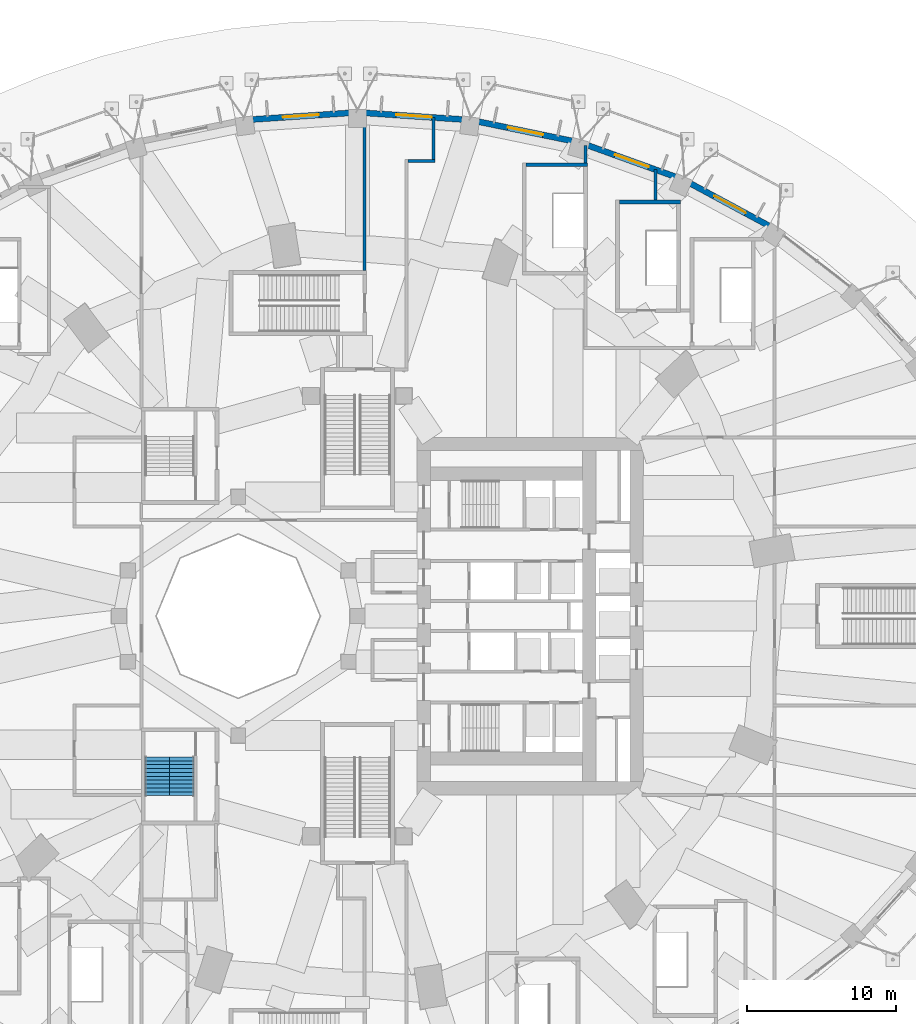
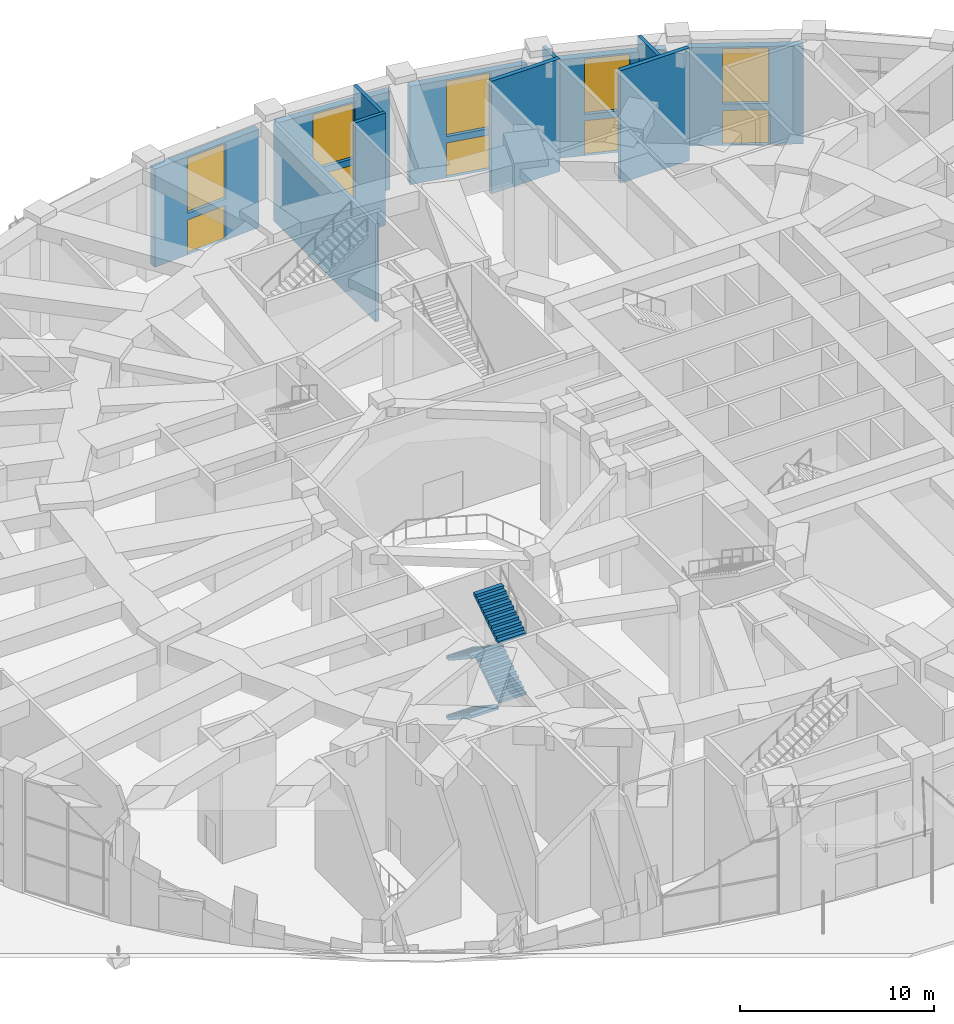
# One storey, part 40 of 60: 12 walls, 5 doors, 5 windows, 4 stair flights, 10 openings, 1 element without a shape of its own.
"""IFC4 building model written with IfcOpenShell, lengths in metres."""

import ifcopenshell
import ifcopenshell.guid

model = None  # the IFC model being written
_history = None  # IfcOwnerHistory: only IFC2X3 demands one
_inside = {}  # id of a spatial element -> (the spatial element, [elements in it])
_under = {}  # id of a project, library or spatial element -> (it, [spatial elements below it])
_declared = {}  # id of a project -> (the project, [libraries it declares])
_typed = {}  # id of a type object -> (the type object, [elements of that type])
_made_of = {}  # id of a material, layer set ... -> (it, [elements and type objects made of it])


def new_model(schema):
    """Start an empty IFC model of exactly this schema.

    Asked for "IFC4X3", IfcOpenShell would pick the latest addendum, in which some entities
    have other attributes; the version numbers below select the first issue.
    IFC2X3 requires an IfcOwnerHistory on every rooted entity: one is made here for all.
    """
    global model, _history
    if schema == "IFC4X3":
        model = ifcopenshell.file(schema_version=(4, 3, 0, 0))
    else:
        model = ifcopenshell.file(schema=schema)
    _inside.clear()
    _under.clear()
    _declared.clear()
    _typed.clear()
    _made_of.clear()
    _history = None
    if model.schema == "IFC2X3":
        org = make("IfcOrganization", Name="unknown")
        user = make(
            "IfcPersonAndOrganization",
            ThePerson=make("IfcPerson", FamilyName="unknown"),
            TheOrganization=org,
        )
        app = make(
            "IfcApplication",
            ApplicationDeveloper=org,
            Version="unknown",
            ApplicationFullName="unknown",
            ApplicationIdentifier="unknown",
        )
        _history = make(
            "IfcOwnerHistory",
            OwningUser=user,
            OwningApplication=app,
            ChangeAction="ADDED",
            CreationDate=0,
        )
    return model


def make(cls, **values):
    """One entity of the class cls with the attributes given. An attribute that is None is left unset."""
    return model.create_entity(
        cls, **{name: value for name, value in values.items() if value is not None}
    )


def rooted(cls, **values):
    """An entity with a GlobalId (a new one), such as an element, a storey or a relation."""
    return make(cls, GlobalId=ifcopenshell.guid.new(), OwnerHistory=_history, **values)


def si_unit(unit_type, name, prefix=None):
    """IfcSIUnit, for example si_unit("LENGTHUNIT", "METRE", prefix="MILLI")."""
    return make("IfcSIUnit", UnitType=unit_type, Prefix=prefix, Name=name)


def assignment(units):
    """IfcUnitAssignment: the units of a project."""
    return None if units is None else make("IfcUnitAssignment", Units=units)


def point(xyz):
    """IfcCartesianPoint."""
    return None if xyz is None else make("IfcCartesianPoint", Coordinates=xyz)


def direction(xyz):
    """IfcDirection."""
    return None if xyz is None else make("IfcDirection", DirectionRatios=xyz)


def frame(location, z_axis=None, x_axis=None):
    """IfcAxis2Placement3D, a coordinate frame: its origin and axes. An axis left out is left unset."""
    return make(
        "IfcAxis2Placement3D",
        Location=point(location),
        Axis=direction(z_axis),
        RefDirection=direction(x_axis),
    )


def frame_2d(location, x_axis=None):
    """IfcAxis2Placement2D, a coordinate frame in the plane: its origin and x axis."""
    return make(
        "IfcAxis2Placement2D", Location=point(location), RefDirection=direction(x_axis)
    )


def origin():
    """The frame at (0, 0, 0) with its axes left unset."""
    return frame((0.0, 0.0, 0.0))


def place(relative_to, where):
    """IfcLocalPlacement: puts the frame where relative to a parent placement (None: the world)."""
    return make(
        "IfcLocalPlacement", PlacementRelTo=relative_to, RelativePlacement=where
    )


def context(
    kind, dimensions, precision=None, world=None, true_north=None, identifier=None
):
    """IfcGeometricRepresentationContext, for example the 3D "Model" context."""
    return make(
        "IfcGeometricRepresentationContext",
        ContextIdentifier=identifier,
        ContextType=kind,
        CoordinateSpaceDimension=dimensions,
        Precision=precision,
        WorldCoordinateSystem=world,
        TrueNorth=true_north,
    )


def subcontext(parent, identifier, kind, view, scale=None):
    """IfcGeometricRepresentationSubContext, for example "Body" below "Model"."""
    return make(
        "IfcGeometricRepresentationSubContext",
        ContextIdentifier=identifier,
        ContextType=kind,
        ParentContext=parent,
        TargetScale=scale,
        TargetView=view,
    )


def project(units=None, contexts=None):
    """IfcProject with its units and contexts."""
    return rooted(
        "IfcProject",
        Name="project",
        RepresentationContexts=contexts,
        UnitsInContext=assignment(units),
    )


def spatial(cls, under=None, at=None, **own):
    """A site, building, storey or space (cls), placed at a placement, below another one or the project."""
    s = rooted(cls, ObjectPlacement=at, **own)
    if under is not None:
        _under.setdefault(under.id(), (under, []))[1].append(s)
    return s


def polyline(points):
    """IfcPolyline through the points."""
    return make("IfcPolyline", Points=[point(p) for p in points])


def profile(cls, at=None, kind="AREA", **sizes):
    """A parametric profile (cls). Its sizes go by their IFC names, for example OverallWidth=200.0."""
    return make(cls, ProfileType=kind, Position=at, **sizes)


def rectangle(**sizes):
    """IfcRectangleProfileDef."""
    return profile("IfcRectangleProfileDef", **sizes)


def outline(outer, holes=None, kind="AREA"):
    """IfcArbitraryClosedProfileDef: a profile drawn as a closed curve; with holes, ...WithVoids."""
    if holes is None:
        return make("IfcArbitraryClosedProfileDef", ProfileType=kind, OuterCurve=outer)
    return make(
        "IfcArbitraryProfileDefWithVoids",
        ProfileType=kind,
        OuterCurve=outer,
        InnerCurves=holes,
    )


def extrude(swept, where, along, depth):
    """IfcExtrudedAreaSolid: the profile swept, set in the frame where, extruded along a direction by depth."""
    return make(
        "IfcExtrudedAreaSolid",
        SweptArea=swept,
        Position=where,
        ExtrudedDirection=direction(along),
        Depth=depth,
    )


def shape(context_of_items, identifier, shape_type, items):
    """IfcShapeRepresentation: the items that make up one representation, for example the "Body"."""
    return make(
        "IfcShapeRepresentation",
        ContextOfItems=context_of_items,
        RepresentationIdentifier=identifier,
        RepresentationType=shape_type,
        Items=items,
    )


def material(Name=None, Category=None):
    """IfcMaterial."""
    return make("IfcMaterial", Name=Name, Category=Category)


def layer(
    of_material, thickness, ventilated=None, Name=None, Category=None, Priority=None
):
    """IfcMaterialLayer: one layer of a wall or slab, of a material (None: an air gap)."""
    return make(
        "IfcMaterialLayer",
        Material=of_material,
        LayerThickness=thickness,
        IsVentilated=ventilated,
        Name=Name,
        Category=Category,
        Priority=Priority,
    )


def layer_set(layers, Name=None):
    """IfcMaterialLayerSet."""
    return make("IfcMaterialLayerSet", MaterialLayers=layers, LayerSetName=Name)


def made_of(thing, what):
    """Note that an element or type object is made of a material, layer set ...; save() writes the relation."""
    if what is not None:
        _made_of.setdefault(what.id(), (what, []))[1].append(thing)
    return thing


def type_object(cls, material=None, **own):
    """A type object (cls), such as IfcWallType, which elements share."""
    return made_of(rooted(cls, **own), material)


def element(
    cls,
    number,
    at=None,
    inside=None,
    cuts=None,
    type_object=None,
    material=None,
    context=None,
    identifier="Body",
    shape_type=None,
    held_by="IfcProductDefinitionShape",
    body=None,
    shapes=None,
    **own,
):
    """One element of the class cls, such as IfcWall. Its Tag is "e" and its number.

    at: its placement. inside: the storey or other place that contains it. cuts: it is an
    opening in that element (IfcRelVoidsElement). A single representation is given by context,
    identifier, shape_type and body (its items); several are given by shapes. held_by: the class
    of the entity that holds the representations. save() writes the other relations.
    """
    e = rooted(cls, Tag="e%d" % number, ObjectPlacement=at, **own)
    if body is not None:
        shapes = [shape(context, identifier, shape_type, body)]
    if shapes is not None:
        e.Representation = make(held_by, Representations=shapes)
    if inside is not None:
        _inside.setdefault(inside.id(), (inside, []))[1].append(e)
    if cuts is not None:
        rooted(
            "IfcRelVoidsElement", RelatingBuildingElement=cuts, RelatedOpeningElement=e
        )
    if type_object is not None:
        _typed.setdefault(type_object.id(), (type_object, []))[1].append(e)
    return made_of(e, material)


def fill(opening, filler):
    """IfcRelFillsElement: the door or window that sits in an opening."""
    return rooted(
        "IfcRelFillsElement",
        RelatingOpeningElement=opening,
        RelatedBuildingElement=filler,
    )


def aggregate(whole, parts):
    """IfcRelAggregates: a whole, such as a stair, and the parts it consists of."""
    return rooted("IfcRelAggregates", RelatingObject=whole, RelatedObjects=parts)


def save(model, path):
    """Write the relations noted so far, then the file.

    IfcRelAggregates (storeys below a building ...), IfcRelContainedInSpatialStructure (elements
    in a storey), IfcRelDefinesByType, IfcRelAssociatesMaterial and IfcRelDeclares: one each for
    every whole, place, type object, material and project.
    """
    for whole, parts in _under.values():
        aggregate(whole, parts)
    for where, things in _inside.values():
        rooted(
            "IfcRelContainedInSpatialStructure",
            RelatedElements=things,
            RelatingStructure=where,
        )
    for kind, things in _typed.values():
        rooted("IfcRelDefinesByType", RelatedObjects=things, RelatingType=kind)
    for what, things in _made_of.values():
        rooted("IfcRelAssociatesMaterial", RelatedObjects=things, RelatingMaterial=what)
    for by, libraries in _declared.values():
        rooted("IfcRelDeclares", RelatingContext=by, RelatedDefinitions=libraries)
    model.write(path)


model = new_model("IFC4")

# Units and contexts
model_context = context("Model", 3, precision=1e-05, world=origin(), true_north=direction((0.0, 1.0)))
body_context = subcontext(model_context, "Body", "Model", "MODEL_VIEW")
ifc_project = project(units=[si_unit("LENGTHUNIT", "METRE"), si_unit("AREAUNIT", "SQUARE_METRE"), si_unit("VOLUMEUNIT", "CUBIC_METRE"), si_unit("PLANEANGLEUNIT", "RADIAN"), si_unit("MASSUNIT", "GRAM", prefix="KILO")], contexts=[model_context])

# Site, building, storey
site_placement = place(None, origin())
site = spatial("IfcSite", under=ifc_project, at=site_placement, CompositionType="ELEMENT")
building_placement = place(site_placement, origin())
building = spatial("IfcBuilding", under=site, at=building_placement, Name="Taillehof Tower", CompositionType="ELEMENT")
storey_placement = place(building_placement, origin())
storey = spatial("IfcBuildingStorey", under=building, at=storey_placement, Name="L00", CompositionType="ELEMENT", Elevation=0.0)

# Wall, openings, door, window
ifc_material_1 = material(Name="Brick masonry", Category="masonry")
ifc_layer_1 = layer(ifc_material_1, 0.39990234375)
ifc_layer_set_1 = layer_set([ifc_layer_1], Name="Brick facade wall 400")
wall_type_1 = type_object("IfcWallType", Name="Brick facade wall 400", PredefinedType="SOLIDWALL", material=ifc_layer_set_1)
wall_1_placement = place(storey_placement, frame((27.61083984375, 26.1923828125, 0.0), z_axis=(0.0, 0.0, 1.0), x_axis=(-0.880313157301, 0.474393028072, 0.0)))
wall_1 = element("IfcWall", 1, at=wall_1_placement, inside=storey, type_object=wall_type_1, Name="Brick wall L00 bay 6", PredefinedType="SOLIDWALL", context=body_context, shape_type="SweptSolid", body=[
    extrude(rectangle(XDim=5.9580078125, YDim=0.39990234375, at=frame_2d((2.97900390625, 0.0))), origin(), (0.0, 0.0, 1.0), 6.18994140625),
])
opening_1_placement = place(wall_1_placement, frame((1.77880859375, 0.0, 0.0)))
opening_1 = element("IfcOpeningElement", 2, at=opening_1_placement, cuts=wall_1, Name="Opening E9", PredefinedType="OPENING", context=body_context, shape_type="SweptSolid", body=[
    extrude(rectangle(XDim=2.39990234375, YDim=2.199951171875, at=frame_2d((1.199951171875, 1.10009765625))), frame((0.0, 0.2099609375, 0.0), z_axis=(0.0, -1.0, 0.0), x_axis=(1.0, 0.0, 0.0)), (0.0, 0.0, 1.0), 0.419921875),
])
opening_2_placement = place(wall_1_placement, frame((1.77880859375, 0.0, 2.60009765625)))
opening_2 = element("IfcOpeningElement", 3, at=opening_2_placement, cuts=wall_1, Name="Opening FL1", PredefinedType="OPENING", context=body_context, shape_type="SweptSolid", body=[
    extrude(rectangle(XDim=2.39990234375, YDim=3.489990234375, at=frame_2d((1.199951171875, 1.7451171875))), frame((0.0, 0.2099609375, 0.0), z_axis=(0.0, -1.0, 0.0), x_axis=(1.0, 0.0, 0.0)), (0.0, 0.0, 1.0), 0.419921875),
])
ifc_material_2 = material(Name="Aluminium door frame with clear laminated safety glass", Category="aluminium")
door_type = type_object("IfcDoorType", Name="Exit door 2400x2200", OperationType="DOUBLE_DOOR_DOUBLE_SWING", PredefinedType="DOOR", material=ifc_material_2)
door_1_placement = place(opening_1_placement, frame((2.39990234375, 0.0, 0.0), z_axis=(0.0, 0.0, 1.0), x_axis=(-1.0, 0.0, 0.0)))
door_1 = element("IfcDoor", 4, at=door_1_placement, inside=storey, type_object=door_type, Name="Door E9", OperationType="DOUBLE_DOOR_SINGLE_SWING", OverallHeight=2.199951171875, OverallWidth=2.39990234375, PredefinedType="DOOR", context=body_context, shape_type="SweptSolid", body=[
    extrude(rectangle(XDim=2.39990234375, YDim=2.199951171875, at=frame_2d((1.199951171875, 1.10009765625))), frame((0.0, 0.0498046875, 0.0), z_axis=(0.0, -1.0, 0.0), x_axis=(1.0, 0.0, 0.0)), (0.0, 0.0, 1.0), 0.050048828125),
])
fill(opening_1, door_1)
ifc_material_3 = material(Name="Aluminium window frame with clear laminated safety glass", Category="aluminium")
window_type = type_object("IfcWindowType", Name="Fixed fanlight 2400x3490", PartitioningType="SINGLE_PANEL", PredefinedType="WINDOW", material=ifc_material_3)
window_1_placement = place(opening_2_placement, origin())
window_1 = element("IfcWindow", 5, at=window_1_placement, inside=storey, type_object=window_type, Name="Fanlight over E9", OverallHeight=3.489990234375, OverallWidth=2.39990234375, PartitioningType="SINGLE_PANEL", PredefinedType="WINDOW", context=body_context, shape_type="SweptSolid", body=[
    extrude(rectangle(XDim=2.39990234375, YDim=3.489990234375, at=frame_2d((1.199951171875, 1.7451171875))), frame((0.0, 0.010009765625, 0.0), z_axis=(0.0, -1.0, 0.0), x_axis=(1.0, 0.0, 0.0)), (0.0, 0.0, 1.0), 0.06005859375),
])
fill(opening_2, window_1)

wall_2_placement = place(storey_placement, frame((21.32470703125, 29.483154296875, 0.0), z_axis=(0.0, 0.0, 1.0), x_axis=(-0.941225814421, 0.337777983694, 0.0)))
wall_2 = element("IfcWall", 6, at=wall_2_placement, inside=storey, type_object=wall_type_1, Name="Brick wall L00 bay 7", PredefinedType="SOLIDWALL", context=body_context, shape_type="SweptSolid", body=[
    extrude(rectangle(XDim=6.19921875, YDim=0.39990234375, at=frame_2d((3.099609375, 0.0))), origin(), (0.0, 0.0, 1.0), 6.18994140625),
])
opening_3_placement = place(wall_2_placement, frame((1.899658203125, 0.0, 0.0)))
opening_3 = element("IfcOpeningElement", 7, at=opening_3_placement, cuts=wall_2, Name="Opening E10", PredefinedType="OPENING", context=body_context, shape_type="SweptSolid", body=[
    extrude(rectangle(XDim=2.39990234375, YDim=2.199951171875, at=frame_2d((1.199951171875, 1.10009765625))), frame((0.0, 0.2099609375, 0.0), z_axis=(0.0, -1.0, 0.0), x_axis=(1.0, 0.0, 0.0)), (0.0, 0.0, 1.0), 0.419921875),
])
opening_4_placement = place(wall_2_placement, frame((1.899658203125, 0.0, 2.60009765625)))
opening_4 = element("IfcOpeningElement", 8, at=opening_4_placement, cuts=wall_2, Name="Opening FL1", PredefinedType="OPENING", context=body_context, shape_type="SweptSolid", body=[
    extrude(rectangle(XDim=2.39990234375, YDim=3.489990234375, at=frame_2d((1.199951171875, 1.7451171875))), frame((0.0, 0.2099609375, 0.0), z_axis=(0.0, -1.0, 0.0), x_axis=(1.0, 0.0, 0.0)), (0.0, 0.0, 1.0), 0.419921875),
])
door_2_placement = place(opening_3_placement, frame((2.39990234375, 0.0, 0.0), z_axis=(0.0, 0.0, 1.0), x_axis=(-1.0, 0.0, 0.0)))
door_2 = element("IfcDoor", 9, at=door_2_placement, inside=storey, type_object=door_type, Name="Door E10", OperationType="DOUBLE_DOOR_SINGLE_SWING", OverallHeight=2.199951171875, OverallWidth=2.39990234375, PredefinedType="DOOR", context=body_context, shape_type="SweptSolid", body=[
    extrude(rectangle(XDim=2.39990234375, YDim=2.199951171875, at=frame_2d((1.199951171875, 1.10009765625))), frame((0.0, 0.0498046875, 0.0), z_axis=(0.0, -1.0, 0.0), x_axis=(1.0, 0.0, 0.0)), (0.0, 0.0, 1.0), 0.050048828125),
])
fill(opening_3, door_2)
window_2_placement = place(opening_4_placement, origin())
window_2 = element("IfcWindow", 10, at=window_2_placement, inside=storey, type_object=window_type, Name="Fanlight over E10", OverallHeight=3.489990234375, OverallWidth=2.39990234375, PartitioningType="SINGLE_PANEL", PredefinedType="WINDOW", context=body_context, shape_type="SweptSolid", body=[
    extrude(rectangle(XDim=2.39990234375, YDim=3.489990234375, at=frame_2d((1.199951171875, 1.7451171875))), frame((0.0, 0.010009765625, 0.0), z_axis=(0.0, -1.0, 0.0), x_axis=(1.0, 0.0, 0.0)), (0.0, 0.0, 1.0), 0.06005859375),
])
fill(opening_4, window_2)

wall_3_placement = place(storey_placement, frame((14.39208984375, 31.8857421875, 0.0), z_axis=(0.0, 0.0, 1.0), x_axis=(-0.979388896242, 0.201983637746, 0.0)))
wall_3 = element("IfcWall", 11, at=wall_3_placement, inside=storey, type_object=wall_type_1, Name="Brick wall L00 bay 8", PredefinedType="SOLIDWALL", context=body_context, shape_type="SweptSolid", body=[
    extrude(rectangle(XDim=6.37353515625, YDim=0.39990234375, at=frame_2d((3.186767578125, 0.0))), origin(), (0.0, 0.0, 1.0), 6.18994140625),
])
opening_5_placement = place(wall_3_placement, frame((1.98681640625, 0.0, 0.0)))
opening_5 = element("IfcOpeningElement", 12, at=opening_5_placement, cuts=wall_3, Name="Opening E11", PredefinedType="OPENING", context=body_context, shape_type="SweptSolid", body=[
    extrude(rectangle(XDim=2.39990234375, YDim=2.199951171875, at=frame_2d((1.199951171875, 1.10009765625))), frame((0.0, 0.2099609375, 0.0), z_axis=(0.0, -1.0, 0.0), x_axis=(1.0, 0.0, 0.0)), (0.0, 0.0, 1.0), 0.419921875),
])
opening_6_placement = place(wall_3_placement, frame((1.98681640625, 0.0, 2.60009765625)))
opening_6 = element("IfcOpeningElement", 13, at=opening_6_placement, cuts=wall_3, Name="Opening FL1", PredefinedType="OPENING", context=body_context, shape_type="SweptSolid", body=[
    extrude(rectangle(XDim=2.39990234375, YDim=3.489990234375, at=frame_2d((1.199951171875, 1.7451171875))), frame((0.0, 0.2099609375, 0.0), z_axis=(0.0, -1.0, 0.0), x_axis=(1.0, 0.0, 0.0)), (0.0, 0.0, 1.0), 0.419921875),
])
door_3_placement = place(opening_5_placement, frame((2.39990234375, 0.0, 0.0), z_axis=(0.0, 0.0, 1.0), x_axis=(-1.0, 0.0, 0.0)))
door_3 = element("IfcDoor", 14, at=door_3_placement, inside=storey, type_object=door_type, Name="Door E11", OperationType="DOUBLE_DOOR_SINGLE_SWING", OverallHeight=2.199951171875, OverallWidth=2.39990234375, PredefinedType="DOOR", context=body_context, shape_type="SweptSolid", body=[
    extrude(rectangle(XDim=2.39990234375, YDim=2.199951171875, at=frame_2d((1.199951171875, 1.10009765625))), frame((0.0, 0.0498046875, 0.0), z_axis=(0.0, -1.0, 0.0), x_axis=(1.0, 0.0, 0.0)), (0.0, 0.0, 1.0), 0.050048828125),
])
fill(opening_5, door_3)
window_3_placement = place(opening_6_placement, origin())
window_3 = element("IfcWindow", 15, at=window_3_placement, inside=storey, type_object=window_type, Name="Fanlight over E11", OverallHeight=3.489990234375, OverallWidth=2.39990234375, PartitioningType="SINGLE_PANEL", PredefinedType="WINDOW", context=body_context, shape_type="SweptSolid", body=[
    extrude(rectangle(XDim=2.39990234375, YDim=3.489990234375, at=frame_2d((1.199951171875, 1.7451171875))), frame((0.0, 0.010009765625, 0.0), z_axis=(0.0, -1.0, 0.0), x_axis=(1.0, 0.0, 0.0)), (0.0, 0.0, 1.0), 0.06005859375),
])
fill(opening_6, window_3)

wall_4_placement = place(storey_placement, frame((7.020263671875, 33.326904296875, 0.0), z_axis=(0.0, 0.0, 1.0), x_axis=(-0.997740655275, 0.067183218234, 0.0)))
wall_4 = element("IfcWall", 16, at=wall_4_placement, inside=storey, type_object=wall_type_1, Name="Brick wall L00 bay 9", PredefinedType="SOLIDWALL", context=body_context, shape_type="SweptSolid", body=[
    extrude(rectangle(XDim=6.46484375, YDim=0.39990234375, at=frame_2d((3.232421875, 0.0))), origin(), (0.0, 0.0, 1.0), 6.18994140625),
])
opening_7_placement = place(wall_4_placement, frame((2.0322265625, 0.0, 0.0)))
opening_7 = element("IfcOpeningElement", 17, at=opening_7_placement, cuts=wall_4, Name="Opening E12", PredefinedType="OPENING", context=body_context, shape_type="SweptSolid", body=[
    extrude(rectangle(XDim=2.39990234375, YDim=2.199951171875, at=frame_2d((1.199951171875, 1.10009765625))), frame((0.0, 0.2099609375, 0.0), z_axis=(0.0, -1.0, 0.0), x_axis=(1.0, 0.0, 0.0)), (0.0, 0.0, 1.0), 0.419921875),
])
opening_8_placement = place(wall_4_placement, frame((2.0322265625, 0.0, 2.60009765625)))
opening_8 = element("IfcOpeningElement", 18, at=opening_8_placement, cuts=wall_4, Name="Opening FL1", PredefinedType="OPENING", context=body_context, shape_type="SweptSolid", body=[
    extrude(rectangle(XDim=2.39990234375, YDim=3.489990234375, at=frame_2d((1.199951171875, 1.7451171875))), frame((0.0, 0.2099609375, 0.0), z_axis=(0.0, -1.0, 0.0), x_axis=(1.0, 0.0, 0.0)), (0.0, 0.0, 1.0), 0.419921875),
])
door_4_placement = place(opening_7_placement, frame((2.39990234375, 0.0, 0.0), z_axis=(0.0, 0.0, 1.0), x_axis=(-1.0, 0.0, 0.0)))
door_4 = element("IfcDoor", 19, at=door_4_placement, inside=storey, type_object=door_type, Name="Door E12", OperationType="DOUBLE_DOOR_SINGLE_SWING", OverallHeight=2.199951171875, OverallWidth=2.39990234375, PredefinedType="DOOR", context=body_context, shape_type="SweptSolid", body=[
    extrude(rectangle(XDim=2.39990234375, YDim=2.199951171875, at=frame_2d((1.199951171875, 1.10009765625))), frame((0.0, 0.0498046875, 0.0), z_axis=(0.0, -1.0, 0.0), x_axis=(1.0, 0.0, 0.0)), (0.0, 0.0, 1.0), 0.050048828125),
])
fill(opening_7, door_4)
window_4_placement = place(opening_8_placement, origin())
window_4 = element("IfcWindow", 20, at=window_4_placement, inside=storey, type_object=window_type, Name="Fanlight over E12", OverallHeight=3.489990234375, OverallWidth=2.39990234375, PartitioningType="SINGLE_PANEL", PredefinedType="WINDOW", context=body_context, shape_type="SweptSolid", body=[
    extrude(rectangle(XDim=2.39990234375, YDim=3.489990234375, at=frame_2d((1.199951171875, 1.7451171875))), frame((0.0, 0.010009765625, 0.0), z_axis=(0.0, -1.0, 0.0), x_axis=(1.0, 0.0, 0.0)), (0.0, 0.0, 1.0), 0.06005859375),
])
fill(opening_8, window_4)

wall_5_placement = place(storey_placement, frame((-0.570068359375, 33.76123046875, 0.0), z_axis=(0.0, 0.0, 1.0), x_axis=(-0.997740655275, -0.067183218234, 0.0)))
wall_5 = element("IfcWall", 21, at=wall_5_placement, inside=storey, type_object=wall_type_1, Name="Brick wall L00 bay 10", PredefinedType="SOLIDWALL", context=body_context, shape_type="SweptSolid", body=[
    extrude(rectangle(XDim=6.46484375, YDim=0.39990234375, at=frame_2d((3.232421875, 0.0))), origin(), (0.0, 0.0, 1.0), 6.18994140625),
])
opening_9_placement = place(wall_5_placement, frame((2.032470703125, 0.0, 0.0)))
opening_9 = element("IfcOpeningElement", 22, at=opening_9_placement, cuts=wall_5, Name="Opening E16", PredefinedType="OPENING", context=body_context, shape_type="SweptSolid", body=[
    extrude(rectangle(XDim=2.39990234375, YDim=2.199951171875, at=frame_2d((1.199951171875, 1.10009765625))), frame((0.0, 0.2099609375, 0.0), z_axis=(0.0, -1.0, 0.0), x_axis=(1.0, 0.0, 0.0)), (0.0, 0.0, 1.0), 0.419921875),
])
opening_10_placement = place(wall_5_placement, frame((2.032470703125, 0.0, 2.60009765625)))
opening_10 = element("IfcOpeningElement", 23, at=opening_10_placement, cuts=wall_5, Name="Opening FL1", PredefinedType="OPENING", context=body_context, shape_type="SweptSolid", body=[
    extrude(rectangle(XDim=2.39990234375, YDim=3.489990234375, at=frame_2d((1.199951171875, 1.7451171875))), frame((0.0, 0.2099609375, 0.0), z_axis=(0.0, -1.0, 0.0), x_axis=(1.0, 0.0, 0.0)), (0.0, 0.0, 1.0), 0.419921875),
])
door_5_placement = place(opening_9_placement, frame((2.39990234375, 0.0, 0.0), z_axis=(0.0, 0.0, 1.0), x_axis=(-1.0, 0.0, 0.0)))
door_5 = element("IfcDoor", 24, at=door_5_placement, inside=storey, type_object=door_type, Name="Door E16", OperationType="DOUBLE_DOOR_SINGLE_SWING", OverallHeight=2.199951171875, OverallWidth=2.39990234375, PredefinedType="DOOR", context=body_context, shape_type="SweptSolid", body=[
    extrude(rectangle(XDim=2.39990234375, YDim=2.199951171875, at=frame_2d((1.199951171875, 1.10009765625))), frame((0.0, 0.0498046875, 0.0), z_axis=(0.0, -1.0, 0.0), x_axis=(1.0, 0.0, 0.0)), (0.0, 0.0, 1.0), 0.050048828125),
])
fill(opening_9, door_5)
window_5_placement = place(opening_10_placement, origin())
window_5 = element("IfcWindow", 25, at=window_5_placement, inside=storey, type_object=window_type, Name="Fanlight over E16", OverallHeight=3.489990234375, OverallWidth=2.39990234375, PartitioningType="SINGLE_PANEL", PredefinedType="WINDOW", context=body_context, shape_type="SweptSolid", body=[
    extrude(rectangle(XDim=2.39990234375, YDim=3.489990234375, at=frame_2d((1.199951171875, 1.7451171875))), frame((0.0, 0.010009765625, 0.0), z_axis=(0.0, -1.0, 0.0), x_axis=(1.0, 0.0, 0.0)), (0.0, 0.0, 1.0), 0.06005859375),
])
fill(opening_10, window_5)

# Walls
ifc_material_4 = material(Name="Calcium silicate blockwork", Category="masonry")
ifc_layer_2 = layer(ifc_material_4, 0.199951171875)
ifc_layer_set_2 = layer_set([ifc_layer_2], Name="Compartment wall EI 60 200 mm")
wall_type_2 = type_object("IfcWallType", Name="Compartment wall EI 60 200 mm", PredefinedType="PARTITIONING", material=ifc_layer_set_2)
wall_6_placement = place(storey_placement, frame((3.39990234375, 30.550048828125, 0.0), z_axis=(0.0, 0.0, 1.0), x_axis=(1.0, 0.0, 0.0)))
element("IfcWall", 26, at=wall_6_placement, inside=storey, type_object=wall_type_2, Name="Wall L00-33 / L00-37", PredefinedType="PARTITIONING", context=body_context, shape_type="SweptSolid", body=[
    extrude(rectangle(XDim=1.800048828125, YDim=0.199951171875, at=frame_2d((0.89990234375, 0.0))), origin(), (0.0, 0.0, 1.0), 7.090087890625),
])
wall_7_placement = place(storey_placement, frame((0.485107421875, 23.175048828125, 0.0), z_axis=(0.0, 0.0, 1.0), x_axis=(0.0, 1.0, 0.0)))
element("IfcWall", 27, at=wall_7_placement, inside=storey, type_object=wall_type_2, Name="Wall L00-33 / L00-37", PredefinedType="PARTITIONING", context=body_context, shape_type="SweptSolid", body=[
    extrude(rectangle(XDim=10.51416015625, YDim=0.199951171875, at=frame_2d((5.257080078125, 0.0))), origin(), (0.0, 0.0, 1.0), 6.18994140625),
])
wall_8_placement = place(storey_placement, frame((5.10009765625, 30.64990234375, 0.0), z_axis=(0.0, 0.0, 1.0), x_axis=(0.0, 1.0, 0.0)))
element("IfcWall", 28, at=wall_8_placement, inside=storey, type_object=wall_type_2, Name="Wall L00-33 / L00-37", PredefinedType="PARTITIONING", context=body_context, shape_type="SweptSolid", body=[
    extrude(rectangle(XDim=2.802978515625, YDim=0.199951171875, at=frame_2d((1.4013671875, 0.0))), origin(), (0.0, 0.0, 1.0), 7.090087890625),
])
wall_9_placement = place(storey_placement, frame((15.300048828125, 30.4150390625, 0.0), z_axis=(0.0, 0.0, 1.0), x_axis=(0.0, 1.0, 0.0)))
element("IfcWall", 29, at=wall_9_placement, inside=storey, type_object=wall_type_2, Name="Wall L00-37 / L00-43", PredefinedType="PARTITIONING", context=body_context, shape_type="SweptSolid", body=[
    extrude(rectangle(XDim=1.173828125, YDim=0.199951171875, at=frame_2d((0.5869140625, 0.0))), origin(), (0.0, 0.0, 1.0), 7.090087890625),
])
wall_10_placement = place(storey_placement, frame((20.014404296875, 27.9150390625, 0.0), z_axis=(0.0, 0.0, 1.0), x_axis=(0.0, 1.0, 0.0)))
element("IfcWall", 30, at=wall_10_placement, inside=storey, type_object=wall_type_2, Name="Wall L00-37 / L00-43", PredefinedType="PARTITIONING", context=body_context, shape_type="SweptSolid", body=[
    extrude(rectangle(XDim=2.0498046875, YDim=0.199951171875, at=frame_2d((1.02490234375, 0.0))), origin(), (0.0, 0.0, 1.0), 7.090087890625),
])
ifc_material_5 = material(Name="Concrete C40/50", Category="concrete")
ifc_layer_3 = layer(ifc_material_5, 0.25)
ifc_layer_set_3 = layer_set([ifc_layer_3], Name="Stair wall EI 120 250 mm")
wall_type_3 = type_object("IfcWallType", Name="Stair wall EI 120 250 mm", PredefinedType="SOLIDWALL", material=ifc_layer_set_3)
for number, where, z_axis, x_axis, name in (
    (31, (17.574951171875, 27.7900390625, 0.0), (0.0, 0.0, 1.0), (1.0, 0.0, 0.0), "Wall L00-12 / L00-43"),
    (32, (11.324951171875, 30.2900390625, 0.0), (0.0, 0.0, 1.0), (1.0, 0.0, 0.0), "Wall L00-08 / L00-37"),
):
    element("IfcWall", number, at=place(storey_placement, frame(where, z_axis=z_axis, x_axis=x_axis)), inside=storey, type_object=wall_type_3, Name=name, PredefinedType="SOLIDWALL", context=body_context, shape_type="SweptSolid", body=[
        extrude(rectangle(XDim=4.10009765625, YDim=0.25, at=frame_2d((2.050048828125, 0.0))), origin(), (0.0, 0.0, 1.0), 7.090087890625),
    ])

# Stair, stair flights
ifc_material_6 = material(Name="Concrete C40/50", Category="concrete")
stair_type = type_object("IfcStairType", Name="Exit stair half-turn", PredefinedType="HALF_TURN_STAIR", material=ifc_material_6)
stair_placement = place(storey_placement, origin())
stair = element("IfcStair", 33, at=stair_placement, inside=storey, type_object=stair_type, Name="Exit stair S4", PredefinedType="HALF_TURN_STAIR")
ifc_material_7 = material(Name="Concrete C40/50", Category="concrete")
stair_flight_type = type_object("IfcStairFlightType", Name="Stair flight 1650 riser 170.5 going 260", PredefinedType="STRAIGHT", material=ifc_material_7)
stair_flight_1_placement = place(storey_placement, frame((-13.425048828125, -9.449951171875, 0.0), z_axis=(0.0, 0.0, 1.0), x_axis=(0.0, -1.0, 0.0)))
stair_flight_1 = element("IfcStairFlight", 34, at=stair_flight_1_placement, type_object=stair_flight_type, Name="S4 flight 1", NumberOfRisers=11, NumberOfTreads=10, PredefinedType="STRAIGHT", RiserHeight=0.170454545, TreadLength=0.26, context=body_context, shape_type="SweptSolid", body=[
    extrude(outline(polyline([(0.0, 0.0), (0.0, 0.005126953125), (0.0, 0.010009765625), (0.0, 0.01513671875), (0.0, 0.02001953125), (0.0, 0.025146484375), (0.0, 0.030029296875), (0.0, 0.03515625), (0.0, 0.0400390625), (0.0, 0.045166015625), (0.0, 0.050048828125), (0.0, 0.05517578125), (0.0, 0.06005859375), (0.0, 0.065185546875), (0.0, 0.070068359375), (0.0, 0.0751953125), (0.0, 0.080322265625), (0.0, 0.085205078125), (0.0, 0.09033203125), (0.0, 0.09521484375), (0.0, 0.100341796875), (0.0, 0.105224609375), (0.0, 0.1103515625), (0.0, 0.115234375), (0.0, 0.120361328125), (0.0, 0.125244140625), (0.0, 0.13037109375), (0.0, 0.13525390625), (0.0, 0.140380859375), (0.0, 0.1455078125), (0.0, 0.150390625), (0.0, 0.155517578125), (0.0, 0.160400390625), (0.0, 0.16552734375), (0.0, 0.17041015625), (0.260009765625, 0.17041015625), (0.260009765625, 0.3408203125), (0.52001953125, 0.3408203125), (0.52001953125, 0.511474609375), (0.780029296875, 0.511474609375), (0.780029296875, 0.681884765625), (1.0400390625, 0.681884765625), (1.0400390625, 0.852294921875), (1.300048828125, 0.852294921875), (1.300048828125, 1.022705078125), (1.56005859375, 1.022705078125), (1.56005859375, 1.193115234375), (1.820068359375, 1.193115234375), (1.820068359375, 1.363525390625), (2.080078125, 1.363525390625), (2.080078125, 1.5341796875), (2.340087890625, 1.5341796875), (2.340087890625, 1.70458984375), (2.60009765625, 1.70458984375), (2.60009765625, 1.69921875), (2.60009765625, 1.694091796875), (2.60009765625, 1.688720703125), (2.60009765625, 1.683349609375), (2.60009765625, 1.67822265625), (2.60009765625, 1.6728515625), (2.60009765625, 1.667724609375), (2.60009765625, 1.662353515625), (2.60009765625, 1.656982421875), (2.60009765625, 1.65185546875), (2.60009765625, 1.646484375), (2.60009765625, 1.641357421875), (2.60009765625, 1.635986328125), (2.60009765625, 1.630859375), (2.60009765625, 1.62548828125), (2.60009765625, 1.6201171875), (2.60009765625, 1.614990234375), (2.60009765625, 1.609619140625), (2.60009765625, 1.6044921875), (2.60009765625, 1.59912109375), (2.60009765625, 1.59375), (2.60009765625, 1.588623046875), (2.60009765625, 1.583251953125), (2.60009765625, 1.578125), (2.60009765625, 1.57275390625), (2.60009765625, 1.5673828125), (2.60009765625, 1.562255859375), (2.60009765625, 1.556884765625), (2.60009765625, 1.5517578125), (2.60009765625, 1.54638671875), (2.60009765625, 1.541015625), (2.60009765625, 1.535888671875), (2.60009765625, 1.530517578125), (2.60009765625, 1.525390625), (0.2734375, 0.0), (0.0, 0.0)])), frame((0.0, 0.824951171875, 0.0), z_axis=(0.0, -1.0, 0.0), x_axis=(1.0, 0.0, 0.0)), (0.0, 0.0, 1.0), 1.65),
])
stair_flight_2_placement = place(storey_placement, frame((-11.77490234375, -12.050048828125, 1.875), z_axis=(0.0, 0.0, 1.0), x_axis=(0.0, 1.0, 0.0)))
stair_flight_2 = element("IfcStairFlight", 35, at=stair_flight_2_placement, type_object=stair_flight_type, Name="S4 flight 2", NumberOfRisers=11, NumberOfTreads=10, PredefinedType="STRAIGHT", RiserHeight=0.170454545, TreadLength=0.26, context=body_context, shape_type="SweptSolid", body=[
    extrude(outline(polyline([(0.0, 0.0), (0.0, 0.005126953125), (0.0, 0.010009765625), (0.0, 0.01513671875), (0.0, 0.02001953125), (0.0, 0.025146484375), (0.0, 0.030029296875), (0.0, 0.03515625), (0.0, 0.0400390625), (0.0, 0.045166015625), (0.0, 0.050048828125), (0.0, 0.05517578125), (0.0, 0.06005859375), (0.0, 0.065185546875), (0.0, 0.070068359375), (0.0, 0.0751953125), (0.0, 0.080322265625), (0.0, 0.085205078125), (0.0, 0.09033203125), (0.0, 0.09521484375), (0.0, 0.100341796875), (0.0, 0.105224609375), (0.0, 0.1103515625), (0.0, 0.115234375), (0.0, 0.120361328125), (0.0, 0.125244140625), (0.0, 0.13037109375), (0.0, 0.13525390625), (0.0, 0.140380859375), (0.0, 0.1455078125), (0.0, 0.150390625), (0.0, 0.155517578125), (0.0, 0.160400390625), (0.0, 0.16552734375), (0.0, 0.17041015625), (0.260009765625, 0.17041015625), (0.260009765625, 0.3408203125), (0.52001953125, 0.3408203125), (0.52001953125, 0.511474609375), (0.780029296875, 0.511474609375), (0.780029296875, 0.681884765625), (1.0400390625, 0.681884765625), (1.0400390625, 0.852294921875), (1.300048828125, 0.852294921875), (1.300048828125, 1.022705078125), (1.56005859375, 1.022705078125), (1.56005859375, 1.193115234375), (1.820068359375, 1.193115234375), (1.820068359375, 1.363525390625), (2.080078125, 1.363525390625), (2.080078125, 1.5341796875), (2.340087890625, 1.5341796875), (2.340087890625, 1.70458984375), (2.60009765625, 1.70458984375), (2.60009765625, 1.69921875), (2.60009765625, 1.694091796875), (2.60009765625, 1.688720703125), (2.60009765625, 1.683349609375), (2.60009765625, 1.67822265625), (2.60009765625, 1.6728515625), (2.60009765625, 1.667724609375), (2.60009765625, 1.662353515625), (2.60009765625, 1.656982421875), (2.60009765625, 1.65185546875), (2.60009765625, 1.646484375), (2.60009765625, 1.641357421875), (2.60009765625, 1.635986328125), (2.60009765625, 1.630859375), (2.60009765625, 1.62548828125), (2.60009765625, 1.6201171875), (2.60009765625, 1.614990234375), (2.60009765625, 1.609619140625), (2.60009765625, 1.6044921875), (2.60009765625, 1.59912109375), (2.60009765625, 1.59375), (2.60009765625, 1.588623046875), (2.60009765625, 1.583251953125), (2.60009765625, 1.578125), (2.60009765625, 1.57275390625), (2.60009765625, 1.5673828125), (2.60009765625, 1.562255859375), (2.60009765625, 1.556884765625), (2.60009765625, 1.5517578125), (2.60009765625, 1.54638671875), (2.60009765625, 1.541015625), (2.60009765625, 1.535888671875), (2.60009765625, 1.530517578125), (2.60009765625, 1.525390625), (0.2734375, 0.0), (0.0, 0.0)])), frame((0.0, 0.824951171875, 0.0), z_axis=(0.0, -1.0, 0.0), x_axis=(1.0, 0.0, 0.0)), (0.0, 0.0, 1.0), 1.65),
])
stair_flight_3_placement = place(storey_placement, frame((-13.425048828125, -9.449951171875, 3.75), z_axis=(0.0, 0.0, 1.0), x_axis=(0.0, -1.0, 0.0)))
stair_flight_3 = element("IfcStairFlight", 36, at=stair_flight_3_placement, type_object=stair_flight_type, Name="S4 flight 3", NumberOfRisers=11, NumberOfTreads=10, PredefinedType="STRAIGHT", RiserHeight=0.170454545, TreadLength=0.26, context=body_context, shape_type="SweptSolid", body=[
    extrude(outline(polyline([(0.0, 0.0), (0.0, 0.005126953125), (0.0, 0.010009765625), (0.0, 0.01513671875), (0.0, 0.02001953125), (0.0, 0.025146484375), (0.0, 0.030029296875), (0.0, 0.03515625), (0.0, 0.0400390625), (0.0, 0.045166015625), (0.0, 0.050048828125), (0.0, 0.05517578125), (0.0, 0.06005859375), (0.0, 0.065185546875), (0.0, 0.070068359375), (0.0, 0.0751953125), (0.0, 0.080322265625), (0.0, 0.085205078125), (0.0, 0.09033203125), (0.0, 0.09521484375), (0.0, 0.100341796875), (0.0, 0.105224609375), (0.0, 0.1103515625), (0.0, 0.115234375), (0.0, 0.120361328125), (0.0, 0.125244140625), (0.0, 0.13037109375), (0.0, 0.13525390625), (0.0, 0.140380859375), (0.0, 0.1455078125), (0.0, 0.150390625), (0.0, 0.155517578125), (0.0, 0.160400390625), (0.0, 0.16552734375), (0.0, 0.17041015625), (0.260009765625, 0.17041015625), (0.260009765625, 0.3408203125), (0.52001953125, 0.3408203125), (0.52001953125, 0.511474609375), (0.780029296875, 0.511474609375), (0.780029296875, 0.681884765625), (1.0400390625, 0.681884765625), (1.0400390625, 0.852294921875), (1.300048828125, 0.852294921875), (1.300048828125, 1.022705078125), (1.56005859375, 1.022705078125), (1.56005859375, 1.193115234375), (1.820068359375, 1.193115234375), (1.820068359375, 1.363525390625), (2.080078125, 1.363525390625), (2.080078125, 1.5341796875), (2.340087890625, 1.5341796875), (2.340087890625, 1.70458984375), (2.60009765625, 1.70458984375), (2.60009765625, 1.69921875), (2.60009765625, 1.694091796875), (2.60009765625, 1.688720703125), (2.60009765625, 1.683349609375), (2.60009765625, 1.67822265625), (2.60009765625, 1.6728515625), (2.60009765625, 1.667724609375), (2.60009765625, 1.662353515625), (2.60009765625, 1.656982421875), (2.60009765625, 1.65185546875), (2.60009765625, 1.646484375), (2.60009765625, 1.641357421875), (2.60009765625, 1.635986328125), (2.60009765625, 1.630859375), (2.60009765625, 1.62548828125), (2.60009765625, 1.6201171875), (2.60009765625, 1.614990234375), (2.60009765625, 1.609619140625), (2.60009765625, 1.6044921875), (2.60009765625, 1.59912109375), (2.60009765625, 1.59375), (2.60009765625, 1.588623046875), (2.60009765625, 1.583251953125), (2.60009765625, 1.578125), (2.60009765625, 1.57275390625), (2.60009765625, 1.5673828125), (2.60009765625, 1.562255859375), (2.60009765625, 1.556884765625), (2.60009765625, 1.5517578125), (2.60009765625, 1.54638671875), (2.60009765625, 1.541015625), (2.60009765625, 1.535888671875), (2.60009765625, 1.530517578125), (2.60009765625, 1.525390625), (0.2734375, 0.0), (0.0, 0.0)])), frame((0.0, 0.824951171875, 0.0), z_axis=(0.0, -1.0, 0.0), x_axis=(1.0, 0.0, 0.0)), (0.0, 0.0, 1.0), 1.65),
])
stair_flight_4_placement = place(storey_placement, frame((-11.77490234375, -12.050048828125, 5.625), z_axis=(0.0, 0.0, 1.0), x_axis=(0.0, 1.0, 0.0)))
stair_flight_4 = element("IfcStairFlight", 37, at=stair_flight_4_placement, type_object=stair_flight_type, Name="S4 flight 4", NumberOfRisers=11, NumberOfTreads=10, PredefinedType="STRAIGHT", RiserHeight=0.170454545, TreadLength=0.26, context=body_context, shape_type="SweptSolid", body=[
    extrude(outline(polyline([(0.0, 0.0), (0.0, 0.005126953125), (0.0, 0.010009765625), (0.0, 0.01513671875), (0.0, 0.02001953125), (0.0, 0.025146484375), (0.0, 0.030029296875), (0.0, 0.03515625), (0.0, 0.0400390625), (0.0, 0.045166015625), (0.0, 0.050048828125), (0.0, 0.05517578125), (0.0, 0.06005859375), (0.0, 0.065185546875), (0.0, 0.070068359375), (0.0, 0.0751953125), (0.0, 0.080322265625), (0.0, 0.085205078125), (0.0, 0.09033203125), (0.0, 0.09521484375), (0.0, 0.100341796875), (0.0, 0.105224609375), (0.0, 0.1103515625), (0.0, 0.115234375), (0.0, 0.120361328125), (0.0, 0.125244140625), (0.0, 0.13037109375), (0.0, 0.13525390625), (0.0, 0.140380859375), (0.0, 0.1455078125), (0.0, 0.150390625), (0.0, 0.155517578125), (0.0, 0.160400390625), (0.0, 0.16552734375), (0.0, 0.17041015625), (0.260009765625, 0.17041015625), (0.260009765625, 0.3408203125), (0.52001953125, 0.3408203125), (0.52001953125, 0.511474609375), (0.780029296875, 0.511474609375), (0.780029296875, 0.681884765625), (1.0400390625, 0.681884765625), (1.0400390625, 0.852294921875), (1.300048828125, 0.852294921875), (1.300048828125, 1.022705078125), (1.56005859375, 1.022705078125), (1.56005859375, 1.193115234375), (1.820068359375, 1.193115234375), (1.820068359375, 1.363525390625), (2.080078125, 1.363525390625), (2.080078125, 1.5341796875), (2.340087890625, 1.5341796875), (2.340087890625, 1.70458984375), (2.60009765625, 1.70458984375), (2.60009765625, 1.69921875), (2.60009765625, 1.694091796875), (2.60009765625, 1.688720703125), (2.60009765625, 1.683349609375), (2.60009765625, 1.67822265625), (2.60009765625, 1.6728515625), (2.60009765625, 1.667724609375), (2.60009765625, 1.662353515625), (2.60009765625, 1.656982421875), (2.60009765625, 1.65185546875), (2.60009765625, 1.646484375), (2.60009765625, 1.641357421875), (2.60009765625, 1.635986328125), (2.60009765625, 1.630859375), (2.60009765625, 1.62548828125), (2.60009765625, 1.6201171875), (2.60009765625, 1.614990234375), (2.60009765625, 1.609619140625), (2.60009765625, 1.6044921875), (2.60009765625, 1.59912109375), (2.60009765625, 1.59375), (2.60009765625, 1.588623046875), (2.60009765625, 1.583251953125), (2.60009765625, 1.578125), (2.60009765625, 1.57275390625), (2.60009765625, 1.5673828125), (2.60009765625, 1.562255859375), (2.60009765625, 1.556884765625), (2.60009765625, 1.5517578125), (2.60009765625, 1.54638671875), (2.60009765625, 1.541015625), (2.60009765625, 1.535888671875), (2.60009765625, 1.530517578125), (2.60009765625, 1.525390625), (0.2734375, 0.0), (0.0, 0.0)])), frame((0.0, 0.824951171875, 0.0), z_axis=(0.0, -1.0, 0.0), x_axis=(1.0, 0.0, 0.0)), (0.0, 0.0, 1.0), 1.65),
])
aggregate(stair, [stair_flight_1, stair_flight_2, stair_flight_3, stair_flight_4])

save(model, "model.ifc")
